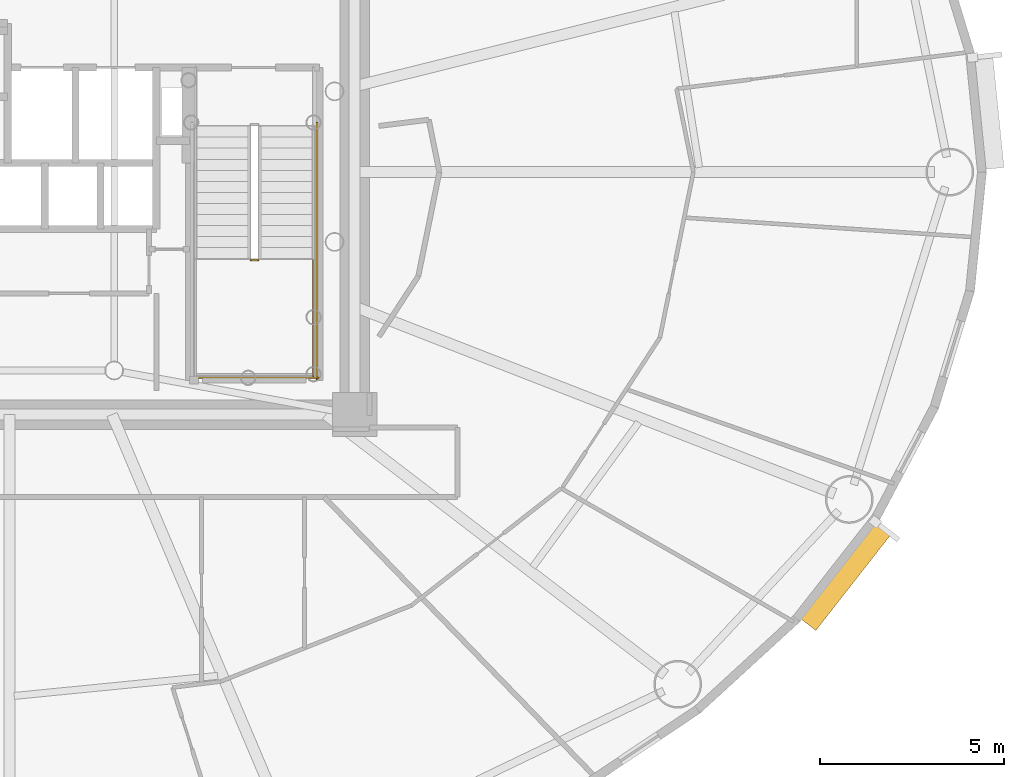
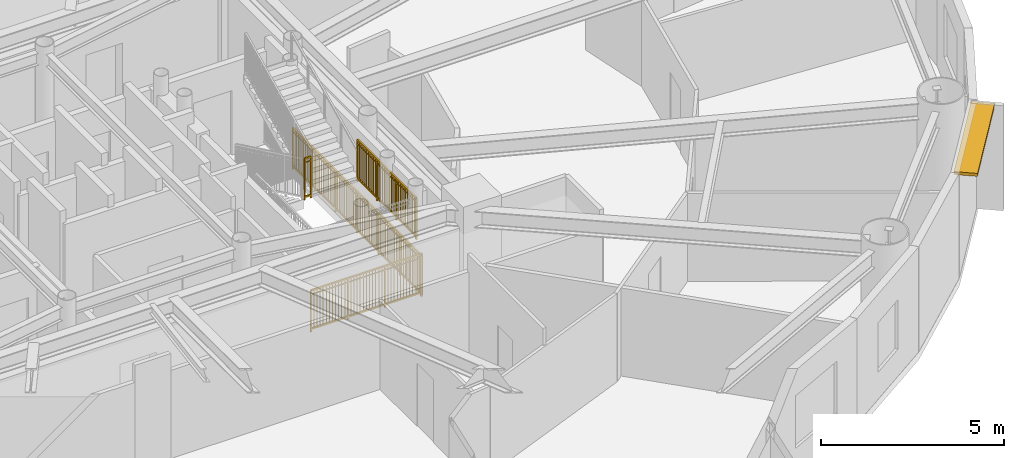
# One storey, part 16 of 17: 4 railings, 1 shading device.
"""IFC4 building model written with IfcOpenShell, lengths in metres."""

from ifc_helpers import new_model, si_unit, direction, frame, origin, origin_2d, place, context, subcontext, project, spatial, rectangle, extrude, source, transform, mapped, material, layer, layer_set, type_object, element, save


model = new_model("IFC4")

# Units and contexts
model_context = context("Model", 3, precision=1e-05, world=origin(), true_north=direction((0.0, 1.0)))
body_context = subcontext(model_context, "Body", "Model", "MODEL_VIEW")
ifc_project = project(units=[si_unit("LENGTHUNIT", "METRE"), si_unit("AREAUNIT", "SQUARE_METRE"), si_unit("VOLUMEUNIT", "CUBIC_METRE"), si_unit("PLANEANGLEUNIT", "RADIAN"), si_unit("MASSUNIT", "GRAM", prefix="KILO")], contexts=[model_context])

# Site, building, storey
site_placement = place(None, origin())
site = spatial("IfcSite", under=ifc_project, at=site_placement, CompositionType="ELEMENT")
building_placement = place(site_placement, origin())
building = spatial("IfcBuilding", under=site, at=building_placement, Name="Linh Dai School and Residence Tower", CompositionType="ELEMENT")
storey_placement = place(building_placement, frame((0.0, 0.0, 197.39990234375)))
storey = spatial("IfcBuildingStorey", under=building, at=storey_placement, Name="L48", CompositionType="ELEMENT", Elevation=197.39990234375)

# Shading device
ifc_material_1 = material(Name="Terracotta Ceramic Sunshade", Category="masonry")
ifc_layer = layer(ifc_material_1, 0.10009765625)
ifc_layer_set = layer_set([ifc_layer], Name="Terracotta Ceramic Sunshade")
shading_device_type = type_object("IfcShadingDeviceType", Name="SHD-TC-650", PredefinedType="USERDEFINED", material=ifc_layer_set)
shared_shape_1 = source(origin(), body_context, "Body", "SweptSolid", [
    extrude(rectangle(XDim=3.376708984375, YDim=0.64990234375, at=origin_2d()), origin(), (0.0, 0.0, 1.0), 0.10009765625),
])
shading_device_placement = place(storey_placement, frame((58.736572265625, 16.05078125, 3.380126953125), z_axis=(0.0, 0.0, 1.0), x_axis=(-0.616286337798, -0.787522158319, 0.0)))
element("IfcShadingDevice", 1, at=shading_device_placement, inside=storey, type_object=shading_device_type, Name="L48 Terracotta Horizontal Sunshade Band 37", ObjectType="SUNSHADE", PredefinedType="USERDEFINED", context=body_context, shape_type="MappedRepresentation", body=[
    mapped(shared_shape_1, transform((0.0, 0.0, 0.0), x_axis=(1.0, 0.0, 0.0), y_axis=(0.0, 1.0, 0.0), z_axis=(0.0, 0.0, 1.0), scale=1.0)),
])

# Railings
ifc_material_2 = material(Name="Structural Steel S355JR", Category="steel")
railing_type = type_object("IfcRailingType", Name="RL-ST-GUARD-1400", PredefinedType="GUARDRAIL", material=ifc_material_2)
shared_shape_2 = source(origin(), body_context, "Body", "SweptSolid", [
    extrude(rectangle(XDim=0.048095703125, YDim=0.048095703125, at=origin_2d()), frame((0.0, 0.0, 1.3759765625), z_axis=(1.0, 0.0, 0.0), x_axis=(0.0, 1.0, 0.0)), (0.0, 0.0, 1.0), 0.199951171875),
    extrude(rectangle(XDim=0.048095703125, YDim=0.048095703125, at=origin_2d()), frame((0.0, 0.0, 0.10009765625), z_axis=(1.0, 0.0, 0.0), x_axis=(0.0, 1.0, 0.0)), (0.0, 0.0, 1.0), 0.199951171875),
    extrude(rectangle(XDim=0.030029296875, YDim=0.030029296875, at=origin_2d()), frame((0.0, 0.0, 1.239990234375), z_axis=(1.0, 0.0, 0.0), x_axis=(0.0, 1.0, 0.0)), (0.0, 0.0, 1.0), 0.199951171875),
    extrude(rectangle(XDim=0.0419921875, YDim=0.0419921875, at=origin_2d()), origin(), (0.0, 0.0, 1.0), 1.3759765625),
    extrude(rectangle(XDim=0.0419921875, YDim=0.0419921875, at=origin_2d()), frame((0.199951171875, 0.0, 0.0)), (0.0, 0.0, 1.0), 1.3759765625),
])
railing_1_placement = place(storey_placement, frame((42.570068359375, 24.60009765625, 1.875)))
element("IfcRailing", 2, at=railing_1_placement, inside=storey, type_object=railing_type, Name="L48 ST2 stair guard 2", PredefinedType="GUARDRAIL", context=body_context, shape_type="MappedRepresentation", body=[
    mapped(shared_shape_2, transform((0.0, 0.0, 0.0), x_axis=(1.0, 0.0, 0.0), y_axis=(0.0, 1.0, 0.0), z_axis=(0.0, 0.0, 1.0), scale=1.0)),
])
shared_shape_3 = source(origin(), body_context, "Body", "SweptSolid", [
    extrude(rectangle(XDim=0.048095703125, YDim=0.048095703125, at=origin_2d()), frame((0.0, 0.0, 1.3759765625), z_axis=(0.0, -1.0, 0.0), x_axis=(1.0, 0.0, 0.0)), (0.0, 0.0, 1.0), 7.0),
    extrude(rectangle(XDim=0.048095703125, YDim=0.048095703125, at=origin_2d()), frame((0.0, 0.0, 0.10009765625), z_axis=(0.0, -1.0, 0.0), x_axis=(1.0, 0.0, 0.0)), (0.0, 0.0, 1.0), 7.0),
    extrude(rectangle(XDim=0.030029296875, YDim=0.030029296875, at=origin_2d()), frame((0.0, 0.0, 1.239990234375), z_axis=(0.0, -1.0, 0.0), x_axis=(1.0, 0.0, 0.0)), (0.0, 0.0, 1.0), 7.0),
    extrude(rectangle(XDim=0.02001953125, YDim=0.02001953125, at=origin_2d()), frame((0.0, -0.09716796875, 0.10009765625)), (0.0, 0.0, 1.0), 1.251708984375),
    extrude(rectangle(XDim=0.02001953125, YDim=0.02001953125, at=origin_2d()), frame((0.0, -0.1943359375, 0.10009765625)), (0.0, 0.0, 1.0), 1.251708984375),
    extrude(rectangle(XDim=0.02001953125, YDim=0.02001953125, at=origin_2d()), frame((0.0, -0.291748046875, 0.10009765625)), (0.0, 0.0, 1.0), 1.251708984375),
    extrude(rectangle(XDim=0.02001953125, YDim=0.02001953125, at=origin_2d()), frame((0.0, -0.388916015625, 0.10009765625)), (0.0, 0.0, 1.0), 1.251708984375),
    extrude(rectangle(XDim=0.02001953125, YDim=0.02001953125, at=origin_2d()), frame((0.0, -0.486083984375, 0.10009765625)), (0.0, 0.0, 1.0), 1.251708984375),
    extrude(rectangle(XDim=0.02001953125, YDim=0.02001953125, at=origin_2d()), frame((0.0, -0.583251953125, 0.10009765625)), (0.0, 0.0, 1.0), 1.251708984375),
    extrude(rectangle(XDim=0.02001953125, YDim=0.02001953125, at=origin_2d()), frame((0.0, -0.6806640625, 0.10009765625)), (0.0, 0.0, 1.0), 1.251708984375),
    extrude(rectangle(XDim=0.02001953125, YDim=0.02001953125, at=origin_2d()), frame((0.0, -0.77783203125, 0.10009765625)), (0.0, 0.0, 1.0), 1.251708984375),
    extrude(rectangle(XDim=0.02001953125, YDim=0.02001953125, at=origin_2d()), frame((0.0, -0.875, 0.10009765625)), (0.0, 0.0, 1.0), 1.251708984375),
    extrude(rectangle(XDim=0.02001953125, YDim=0.02001953125, at=origin_2d()), frame((0.0, -0.97216796875, 0.10009765625)), (0.0, 0.0, 1.0), 1.251708984375),
    extrude(rectangle(XDim=0.02001953125, YDim=0.02001953125, at=origin_2d()), frame((0.0, -1.0693359375, 0.10009765625)), (0.0, 0.0, 1.0), 1.251708984375),
    extrude(rectangle(XDim=0.02001953125, YDim=0.02001953125, at=origin_2d()), frame((0.0, -1.263916015625, 0.10009765625)), (0.0, 0.0, 1.0), 1.251708984375),
    extrude(rectangle(XDim=0.02001953125, YDim=0.02001953125, at=origin_2d()), frame((0.0, -1.361083984375, 0.10009765625)), (0.0, 0.0, 1.0), 1.251708984375),
    extrude(rectangle(XDim=0.02001953125, YDim=0.02001953125, at=origin_2d()), frame((0.0, -1.458251953125, 0.10009765625)), (0.0, 0.0, 1.0), 1.251708984375),
    extrude(rectangle(XDim=0.02001953125, YDim=0.02001953125, at=origin_2d()), frame((0.0, -1.5556640625, 0.10009765625)), (0.0, 0.0, 1.0), 1.251708984375),
    extrude(rectangle(XDim=0.02001953125, YDim=0.02001953125, at=origin_2d()), frame((0.0, -1.65283203125, 0.10009765625)), (0.0, 0.0, 1.0), 1.251708984375),
    extrude(rectangle(XDim=0.02001953125, YDim=0.02001953125, at=origin_2d()), frame((0.0, -1.75, 0.10009765625)), (0.0, 0.0, 1.0), 1.251708984375),
    extrude(rectangle(XDim=0.02001953125, YDim=0.02001953125, at=origin_2d()), frame((0.0, -1.84716796875, 0.10009765625)), (0.0, 0.0, 1.0), 1.251708984375),
    extrude(rectangle(XDim=0.02001953125, YDim=0.02001953125, at=origin_2d()), frame((0.0, -1.9443359375, 0.10009765625)), (0.0, 0.0, 1.0), 1.251708984375),
    extrude(rectangle(XDim=0.02001953125, YDim=0.02001953125, at=origin_2d()), frame((0.0, -2.041748046875, 0.10009765625)), (0.0, 0.0, 1.0), 1.251708984375),
    extrude(rectangle(XDim=0.02001953125, YDim=0.02001953125, at=origin_2d()), frame((0.0, -2.138916015625, 0.10009765625)), (0.0, 0.0, 1.0), 1.251708984375),
    extrude(rectangle(XDim=0.02001953125, YDim=0.02001953125, at=origin_2d()), frame((0.0, -2.236083984375, 0.10009765625)), (0.0, 0.0, 1.0), 1.251708984375),
    extrude(rectangle(XDim=0.02001953125, YDim=0.02001953125, at=origin_2d()), frame((0.0, -2.4306640625, 0.10009765625)), (0.0, 0.0, 1.0), 1.251708984375),
    extrude(rectangle(XDim=0.02001953125, YDim=0.02001953125, at=origin_2d()), frame((0.0, -2.52783203125, 0.10009765625)), (0.0, 0.0, 1.0), 1.251708984375),
    extrude(rectangle(XDim=0.02001953125, YDim=0.02001953125, at=origin_2d()), frame((0.0, -2.625, 0.10009765625)), (0.0, 0.0, 1.0), 1.251708984375),
    extrude(rectangle(XDim=0.02001953125, YDim=0.02001953125, at=origin_2d()), frame((0.0, -2.72216796875, 0.10009765625)), (0.0, 0.0, 1.0), 1.251708984375),
    extrude(rectangle(XDim=0.02001953125, YDim=0.02001953125, at=origin_2d()), frame((0.0, -2.8193359375, 0.10009765625)), (0.0, 0.0, 1.0), 1.251708984375),
    extrude(rectangle(XDim=0.02001953125, YDim=0.02001953125, at=origin_2d()), frame((0.0, -2.916748046875, 0.10009765625)), (0.0, 0.0, 1.0), 1.251708984375),
    extrude(rectangle(XDim=0.02001953125, YDim=0.02001953125, at=origin_2d()), frame((0.0, -3.013916015625, 0.10009765625)), (0.0, 0.0, 1.0), 1.251708984375),
    extrude(rectangle(XDim=0.02001953125, YDim=0.02001953125, at=origin_2d()), frame((0.0, -3.111083984375, 0.10009765625)), (0.0, 0.0, 1.0), 1.251708984375),
    extrude(rectangle(XDim=0.02001953125, YDim=0.02001953125, at=origin_2d()), frame((0.0, -3.208251953125, 0.10009765625)), (0.0, 0.0, 1.0), 1.251708984375),
    extrude(rectangle(XDim=0.02001953125, YDim=0.02001953125, at=origin_2d()), frame((0.0, -3.3056640625, 0.10009765625)), (0.0, 0.0, 1.0), 1.251708984375),
    extrude(rectangle(XDim=0.02001953125, YDim=0.02001953125, at=origin_2d()), frame((0.0, -3.40283203125, 0.10009765625)), (0.0, 0.0, 1.0), 1.251708984375),
    extrude(rectangle(XDim=0.02001953125, YDim=0.02001953125, at=origin_2d()), frame((0.0, -3.59716796875, 0.10009765625)), (0.0, 0.0, 1.0), 1.251708984375),
    extrude(rectangle(XDim=0.02001953125, YDim=0.02001953125, at=origin_2d()), frame((0.0, -3.6943359375, 0.10009765625)), (0.0, 0.0, 1.0), 1.251708984375),
    extrude(rectangle(XDim=0.02001953125, YDim=0.02001953125, at=origin_2d()), frame((0.0, -3.791748046875, 0.10009765625)), (0.0, 0.0, 1.0), 1.251708984375),
    extrude(rectangle(XDim=0.02001953125, YDim=0.02001953125, at=origin_2d()), frame((0.0, -3.888916015625, 0.10009765625)), (0.0, 0.0, 1.0), 1.251708984375),
    extrude(rectangle(XDim=0.02001953125, YDim=0.02001953125, at=origin_2d()), frame((0.0, -3.986083984375, 0.10009765625)), (0.0, 0.0, 1.0), 1.251708984375),
    extrude(rectangle(XDim=0.02001953125, YDim=0.02001953125, at=origin_2d()), frame((0.0, -4.083251953125, 0.10009765625)), (0.0, 0.0, 1.0), 1.251708984375),
    extrude(rectangle(XDim=0.02001953125, YDim=0.02001953125, at=origin_2d()), frame((0.0, -4.1806640625, 0.10009765625)), (0.0, 0.0, 1.0), 1.251708984375),
    extrude(rectangle(XDim=0.02001953125, YDim=0.02001953125, at=origin_2d()), frame((0.0, -4.27783203125, 0.10009765625)), (0.0, 0.0, 1.0), 1.251708984375),
    extrude(rectangle(XDim=0.02001953125, YDim=0.02001953125, at=origin_2d()), frame((0.0, -4.375, 0.10009765625)), (0.0, 0.0, 1.0), 1.251708984375),
    extrude(rectangle(XDim=0.02001953125, YDim=0.02001953125, at=origin_2d()), frame((0.0, -4.47216796875, 0.10009765625)), (0.0, 0.0, 1.0), 1.251708984375),
    extrude(rectangle(XDim=0.02001953125, YDim=0.02001953125, at=origin_2d()), frame((0.0, -4.5693359375, 0.10009765625)), (0.0, 0.0, 1.0), 1.251708984375),
    extrude(rectangle(XDim=0.02001953125, YDim=0.02001953125, at=origin_2d()), frame((0.0, -4.763916015625, 0.10009765625)), (0.0, 0.0, 1.0), 1.251708984375),
    extrude(rectangle(XDim=0.02001953125, YDim=0.02001953125, at=origin_2d()), frame((0.0, -4.861083984375, 0.10009765625)), (0.0, 0.0, 1.0), 1.251708984375),
    extrude(rectangle(XDim=0.02001953125, YDim=0.02001953125, at=origin_2d()), frame((0.0, -4.958251953125, 0.10009765625)), (0.0, 0.0, 1.0), 1.251708984375),
    extrude(rectangle(XDim=0.02001953125, YDim=0.02001953125, at=origin_2d()), frame((0.0, -5.0556640625, 0.10009765625)), (0.0, 0.0, 1.0), 1.251708984375),
    extrude(rectangle(XDim=0.02001953125, YDim=0.02001953125, at=origin_2d()), frame((0.0, -5.15283203125, 0.10009765625)), (0.0, 0.0, 1.0), 1.251708984375),
    extrude(rectangle(XDim=0.02001953125, YDim=0.02001953125, at=origin_2d()), frame((0.0, -5.25, 0.10009765625)), (0.0, 0.0, 1.0), 1.251708984375),
    extrude(rectangle(XDim=0.02001953125, YDim=0.02001953125, at=origin_2d()), frame((0.0, -5.34716796875, 0.10009765625)), (0.0, 0.0, 1.0), 1.251708984375),
    extrude(rectangle(XDim=0.02001953125, YDim=0.02001953125, at=origin_2d()), frame((0.0, -5.4443359375, 0.10009765625)), (0.0, 0.0, 1.0), 1.251708984375),
    extrude(rectangle(XDim=0.02001953125, YDim=0.02001953125, at=origin_2d()), frame((0.0, -5.541748046875, 0.10009765625)), (0.0, 0.0, 1.0), 1.251708984375),
    extrude(rectangle(XDim=0.02001953125, YDim=0.02001953125, at=origin_2d()), frame((0.0, -5.638916015625, 0.10009765625)), (0.0, 0.0, 1.0), 1.251708984375),
    extrude(rectangle(XDim=0.02001953125, YDim=0.02001953125, at=origin_2d()), frame((0.0, -5.736083984375, 0.10009765625)), (0.0, 0.0, 1.0), 1.251708984375),
    extrude(rectangle(XDim=0.02001953125, YDim=0.02001953125, at=origin_2d()), frame((0.0, -5.9306640625, 0.10009765625)), (0.0, 0.0, 1.0), 1.251708984375),
    extrude(rectangle(XDim=0.02001953125, YDim=0.02001953125, at=origin_2d()), frame((0.0, -6.02783203125, 0.10009765625)), (0.0, 0.0, 1.0), 1.251708984375),
    extrude(rectangle(XDim=0.02001953125, YDim=0.02001953125, at=origin_2d()), frame((0.0, -6.125, 0.10009765625)), (0.0, 0.0, 1.0), 1.251708984375),
    extrude(rectangle(XDim=0.02001953125, YDim=0.02001953125, at=origin_2d()), frame((0.0, -6.22216796875, 0.10009765625)), (0.0, 0.0, 1.0), 1.251708984375),
    extrude(rectangle(XDim=0.02001953125, YDim=0.02001953125, at=origin_2d()), frame((0.0, -6.3193359375, 0.10009765625)), (0.0, 0.0, 1.0), 1.251708984375),
    extrude(rectangle(XDim=0.02001953125, YDim=0.02001953125, at=origin_2d()), frame((0.0, -6.416748046875, 0.10009765625)), (0.0, 0.0, 1.0), 1.251708984375),
    extrude(rectangle(XDim=0.02001953125, YDim=0.02001953125, at=origin_2d()), frame((0.0, -6.513916015625, 0.10009765625)), (0.0, 0.0, 1.0), 1.251708984375),
    extrude(rectangle(XDim=0.02001953125, YDim=0.02001953125, at=origin_2d()), frame((0.0, -6.611083984375, 0.10009765625)), (0.0, 0.0, 1.0), 1.251708984375),
    extrude(rectangle(XDim=0.02001953125, YDim=0.02001953125, at=origin_2d()), frame((0.0, -6.708251953125, 0.10009765625)), (0.0, 0.0, 1.0), 1.251708984375),
    extrude(rectangle(XDim=0.02001953125, YDim=0.02001953125, at=origin_2d()), frame((0.0, -6.8056640625, 0.10009765625)), (0.0, 0.0, 1.0), 1.251708984375),
    extrude(rectangle(XDim=0.02001953125, YDim=0.02001953125, at=origin_2d()), frame((0.0, -6.90283203125, 0.10009765625)), (0.0, 0.0, 1.0), 1.251708984375),
    extrude(rectangle(XDim=0.0419921875, YDim=0.0419921875, at=origin_2d()), origin(), (0.0, 0.0, 1.0), 1.3759765625),
    extrude(rectangle(XDim=0.0419921875, YDim=0.0419921875, at=origin_2d()), frame((0.0, -1.166748046875, 0.0)), (0.0, 0.0, 1.0), 1.3759765625),
    extrude(rectangle(XDim=0.0419921875, YDim=0.0419921875, at=origin_2d()), frame((0.0, -2.333251953125, 0.0)), (0.0, 0.0, 1.0), 1.3759765625),
    extrude(rectangle(XDim=0.0419921875, YDim=0.0419921875, at=origin_2d()), frame((0.0, -3.5, 0.0)), (0.0, 0.0, 1.0), 1.3759765625),
    extrude(rectangle(XDim=0.0419921875, YDim=0.0419921875, at=origin_2d()), frame((0.0, -4.666748046875, 0.0)), (0.0, 0.0, 1.0), 1.3759765625),
    extrude(rectangle(XDim=0.0419921875, YDim=0.0419921875, at=origin_2d()), frame((0.0, -5.833251953125, 0.0)), (0.0, 0.0, 1.0), 1.3759765625),
    extrude(rectangle(XDim=0.0419921875, YDim=0.0419921875, at=origin_2d()), frame((0.0, -7.0, 0.0)), (0.0, 0.0, 1.0), 1.3759765625),
])
railing_2_placement = place(storey_placement, frame((44.3701171875, 28.35009765625, 0.0)))
element("IfcRailing", 3, at=railing_2_placement, inside=storey, type_object=railing_type, Name="L48 ST2 stair guard 11", PredefinedType="GUARDRAIL", context=body_context, shape_type="MappedRepresentation", body=[
    mapped(shared_shape_3, transform((0.0, 0.0, 0.0), x_axis=(1.0, 0.0, 0.0), y_axis=(0.0, 1.0, 0.0), z_axis=(0.0, 0.0, 1.0), scale=1.0)),
])
shared_shape_4 = source(origin(), body_context, "Body", "SweptSolid", [
    extrude(rectangle(XDim=0.048095703125, YDim=0.048095703125, at=origin_2d()), frame((0.0, 0.0, 1.3759765625), z_axis=(1.0, 0.0, 0.0), x_axis=(0.0, 1.0, 0.0)), (0.0, 0.0, 1.0), 3.5),
    extrude(rectangle(XDim=0.048095703125, YDim=0.048095703125, at=origin_2d()), frame((0.0, 0.0, 0.10009765625), z_axis=(1.0, 0.0, 0.0), x_axis=(0.0, 1.0, 0.0)), (0.0, 0.0, 1.0), 3.5),
    extrude(rectangle(XDim=0.030029296875, YDim=0.030029296875, at=origin_2d()), frame((0.0, 0.0, 1.239990234375), z_axis=(1.0, 0.0, 0.0), x_axis=(0.0, 1.0, 0.0)), (0.0, 0.0, 1.0), 3.5),
    extrude(rectangle(XDim=0.02001953125, YDim=0.02001953125, at=origin_2d()), frame((0.09716796875, 0.0, 0.10009765625)), (0.0, 0.0, 1.0), 1.251708984375),
    extrude(rectangle(XDim=0.02001953125, YDim=0.02001953125, at=origin_2d()), frame((0.1943359375, 0.0, 0.10009765625)), (0.0, 0.0, 1.0), 1.251708984375),
    extrude(rectangle(XDim=0.02001953125, YDim=0.02001953125, at=origin_2d()), frame((0.291748046875, 0.0, 0.10009765625)), (0.0, 0.0, 1.0), 1.251708984375),
    extrude(rectangle(XDim=0.02001953125, YDim=0.02001953125, at=origin_2d()), frame((0.388916015625, 0.0, 0.10009765625)), (0.0, 0.0, 1.0), 1.251708984375),
    extrude(rectangle(XDim=0.02001953125, YDim=0.02001953125, at=origin_2d()), frame((0.486083984375, 0.0, 0.10009765625)), (0.0, 0.0, 1.0), 1.251708984375),
    extrude(rectangle(XDim=0.02001953125, YDim=0.02001953125, at=origin_2d()), frame((0.583251953125, 0.0, 0.10009765625)), (0.0, 0.0, 1.0), 1.251708984375),
    extrude(rectangle(XDim=0.02001953125, YDim=0.02001953125, at=origin_2d()), frame((0.6806640625, 0.0, 0.10009765625)), (0.0, 0.0, 1.0), 1.251708984375),
    extrude(rectangle(XDim=0.02001953125, YDim=0.02001953125, at=origin_2d()), frame((0.77783203125, 0.0, 0.10009765625)), (0.0, 0.0, 1.0), 1.251708984375),
    extrude(rectangle(XDim=0.02001953125, YDim=0.02001953125, at=origin_2d()), frame((0.875, 0.0, 0.10009765625)), (0.0, 0.0, 1.0), 1.251708984375),
    extrude(rectangle(XDim=0.02001953125, YDim=0.02001953125, at=origin_2d()), frame((0.97216796875, 0.0, 0.10009765625)), (0.0, 0.0, 1.0), 1.251708984375),
    extrude(rectangle(XDim=0.02001953125, YDim=0.02001953125, at=origin_2d()), frame((1.0693359375, 0.0, 0.10009765625)), (0.0, 0.0, 1.0), 1.251708984375),
    extrude(rectangle(XDim=0.02001953125, YDim=0.02001953125, at=origin_2d()), frame((1.263916015625, 0.0, 0.10009765625)), (0.0, 0.0, 1.0), 1.251708984375),
    extrude(rectangle(XDim=0.02001953125, YDim=0.02001953125, at=origin_2d()), frame((1.361083984375, 0.0, 0.10009765625)), (0.0, 0.0, 1.0), 1.251708984375),
    extrude(rectangle(XDim=0.02001953125, YDim=0.02001953125, at=origin_2d()), frame((1.458251953125, 0.0, 0.10009765625)), (0.0, 0.0, 1.0), 1.251708984375),
    extrude(rectangle(XDim=0.02001953125, YDim=0.02001953125, at=origin_2d()), frame((1.5556640625, 0.0, 0.10009765625)), (0.0, 0.0, 1.0), 1.251708984375),
    extrude(rectangle(XDim=0.02001953125, YDim=0.02001953125, at=origin_2d()), frame((1.65283203125, 0.0, 0.10009765625)), (0.0, 0.0, 1.0), 1.251708984375),
    extrude(rectangle(XDim=0.02001953125, YDim=0.02001953125, at=origin_2d()), frame((1.75, 0.0, 0.10009765625)), (0.0, 0.0, 1.0), 1.251708984375),
    extrude(rectangle(XDim=0.02001953125, YDim=0.02001953125, at=origin_2d()), frame((1.84716796875, 0.0, 0.10009765625)), (0.0, 0.0, 1.0), 1.251708984375),
    extrude(rectangle(XDim=0.02001953125, YDim=0.02001953125, at=origin_2d()), frame((1.9443359375, 0.0, 0.10009765625)), (0.0, 0.0, 1.0), 1.251708984375),
    extrude(rectangle(XDim=0.02001953125, YDim=0.02001953125, at=origin_2d()), frame((2.041748046875, 0.0, 0.10009765625)), (0.0, 0.0, 1.0), 1.251708984375),
    extrude(rectangle(XDim=0.02001953125, YDim=0.02001953125, at=origin_2d()), frame((2.138916015625, 0.0, 0.10009765625)), (0.0, 0.0, 1.0), 1.251708984375),
    extrude(rectangle(XDim=0.02001953125, YDim=0.02001953125, at=origin_2d()), frame((2.236083984375, 0.0, 0.10009765625)), (0.0, 0.0, 1.0), 1.251708984375),
    extrude(rectangle(XDim=0.02001953125, YDim=0.02001953125, at=origin_2d()), frame((2.4306640625, 0.0, 0.10009765625)), (0.0, 0.0, 1.0), 1.251708984375),
    extrude(rectangle(XDim=0.02001953125, YDim=0.02001953125, at=origin_2d()), frame((2.52783203125, 0.0, 0.10009765625)), (0.0, 0.0, 1.0), 1.251708984375),
    extrude(rectangle(XDim=0.02001953125, YDim=0.02001953125, at=origin_2d()), frame((2.625, 0.0, 0.10009765625)), (0.0, 0.0, 1.0), 1.251708984375),
    extrude(rectangle(XDim=0.02001953125, YDim=0.02001953125, at=origin_2d()), frame((2.72216796875, 0.0, 0.10009765625)), (0.0, 0.0, 1.0), 1.251708984375),
    extrude(rectangle(XDim=0.02001953125, YDim=0.02001953125, at=origin_2d()), frame((2.8193359375, 0.0, 0.10009765625)), (0.0, 0.0, 1.0), 1.251708984375),
    extrude(rectangle(XDim=0.02001953125, YDim=0.02001953125, at=origin_2d()), frame((2.916748046875, 0.0, 0.10009765625)), (0.0, 0.0, 1.0), 1.251708984375),
    extrude(rectangle(XDim=0.02001953125, YDim=0.02001953125, at=origin_2d()), frame((3.013916015625, 0.0, 0.10009765625)), (0.0, 0.0, 1.0), 1.251708984375),
    extrude(rectangle(XDim=0.02001953125, YDim=0.02001953125, at=origin_2d()), frame((3.111083984375, 0.0, 0.10009765625)), (0.0, 0.0, 1.0), 1.251708984375),
    extrude(rectangle(XDim=0.02001953125, YDim=0.02001953125, at=origin_2d()), frame((3.208251953125, 0.0, 0.10009765625)), (0.0, 0.0, 1.0), 1.251708984375),
    extrude(rectangle(XDim=0.02001953125, YDim=0.02001953125, at=origin_2d()), frame((3.3056640625, 0.0, 0.10009765625)), (0.0, 0.0, 1.0), 1.251708984375),
    extrude(rectangle(XDim=0.02001953125, YDim=0.02001953125, at=origin_2d()), frame((3.40283203125, 0.0, 0.10009765625)), (0.0, 0.0, 1.0), 1.251708984375),
    extrude(rectangle(XDim=0.0419921875, YDim=0.0419921875, at=origin_2d()), origin(), (0.0, 0.0, 1.0), 1.3759765625),
    extrude(rectangle(XDim=0.0419921875, YDim=0.0419921875, at=origin_2d()), frame((1.166748046875, 0.0, 0.0)), (0.0, 0.0, 1.0), 1.3759765625),
    extrude(rectangle(XDim=0.0419921875, YDim=0.0419921875, at=origin_2d()), frame((2.333251953125, 0.0, 0.0)), (0.0, 0.0, 1.0), 1.3759765625),
    extrude(rectangle(XDim=0.0419921875, YDim=0.0419921875, at=origin_2d()), frame((3.5, 0.0, 0.0)), (0.0, 0.0, 1.0), 1.3759765625),
])
railing_3_placement = place(storey_placement, frame((40.919921875, 21.39990234375, 0.0)))
element("IfcRailing", 4, at=railing_3_placement, inside=storey, type_object=railing_type, Name="L48 ST2 stair guard 12", PredefinedType="GUARDRAIL", context=body_context, shape_type="MappedRepresentation", body=[
    mapped(shared_shape_4, transform((0.0, 0.0, 0.0), x_axis=(1.0, 0.0, 0.0), y_axis=(0.0, 1.0, 0.0), z_axis=(0.0, 0.0, 1.0), scale=1.0)),
])
shared_shape_5 = source(origin(), body_context, "Body", "SweptSolid", [
    extrude(rectangle(XDim=0.048095703125, YDim=0.048095703125, at=origin_2d()), frame((0.0, 0.0, 1.3759765625), z_axis=(0.0, -1.0, 0.0), x_axis=(1.0, 0.0, 0.0)), (0.0, 0.0, 1.0), 3.199951171875),
    extrude(rectangle(XDim=0.048095703125, YDim=0.048095703125, at=origin_2d()), frame((0.0, 0.0, 0.10009765625), z_axis=(0.0, -1.0, 0.0), x_axis=(1.0, 0.0, 0.0)), (0.0, 0.0, 1.0), 3.199951171875),
    extrude(rectangle(XDim=0.030029296875, YDim=0.030029296875, at=origin_2d()), frame((0.0, 0.0, 1.239990234375), z_axis=(0.0, -1.0, 0.0), x_axis=(1.0, 0.0, 0.0)), (0.0, 0.0, 1.0), 3.199951171875),
    extrude(rectangle(XDim=0.02001953125, YDim=0.02001953125, at=origin_2d()), frame((0.0, -0.096923828125, 0.10009765625)), (0.0, 0.0, 1.0), 1.251708984375),
    extrude(rectangle(XDim=0.02001953125, YDim=0.02001953125, at=origin_2d()), frame((0.0, -0.19384765625, 0.10009765625)), (0.0, 0.0, 1.0), 1.251708984375),
    extrude(rectangle(XDim=0.02001953125, YDim=0.02001953125, at=origin_2d()), frame((0.0, -0.291015625, 0.10009765625)), (0.0, 0.0, 1.0), 1.251708984375),
    extrude(rectangle(XDim=0.02001953125, YDim=0.02001953125, at=origin_2d()), frame((0.0, -0.387939453125, 0.10009765625)), (0.0, 0.0, 1.0), 1.251708984375),
    extrude(rectangle(XDim=0.02001953125, YDim=0.02001953125, at=origin_2d()), frame((0.0, -0.48486328125, 0.10009765625)), (0.0, 0.0, 1.0), 1.251708984375),
    extrude(rectangle(XDim=0.02001953125, YDim=0.02001953125, at=origin_2d()), frame((0.0, -0.581787109375, 0.10009765625)), (0.0, 0.0, 1.0), 1.251708984375),
    extrude(rectangle(XDim=0.02001953125, YDim=0.02001953125, at=origin_2d()), frame((0.0, -0.6787109375, 0.10009765625)), (0.0, 0.0, 1.0), 1.251708984375),
    extrude(rectangle(XDim=0.02001953125, YDim=0.02001953125, at=origin_2d()), frame((0.0, -0.775634765625, 0.10009765625)), (0.0, 0.0, 1.0), 1.251708984375),
    extrude(rectangle(XDim=0.02001953125, YDim=0.02001953125, at=origin_2d()), frame((0.0, -0.872802734375, 0.10009765625)), (0.0, 0.0, 1.0), 1.251708984375),
    extrude(rectangle(XDim=0.02001953125, YDim=0.02001953125, at=origin_2d()), frame((0.0, -0.9697265625, 0.10009765625)), (0.0, 0.0, 1.0), 1.251708984375),
    extrude(rectangle(XDim=0.02001953125, YDim=0.02001953125, at=origin_2d()), frame((0.0, -1.16357421875, 0.10009765625)), (0.0, 0.0, 1.0), 1.251708984375),
    extrude(rectangle(XDim=0.02001953125, YDim=0.02001953125, at=origin_2d()), frame((0.0, -1.260498046875, 0.10009765625)), (0.0, 0.0, 1.0), 1.251708984375),
    extrude(rectangle(XDim=0.02001953125, YDim=0.02001953125, at=origin_2d()), frame((0.0, -1.357666015625, 0.10009765625)), (0.0, 0.0, 1.0), 1.251708984375),
    extrude(rectangle(XDim=0.02001953125, YDim=0.02001953125, at=origin_2d()), frame((0.0, -1.45458984375, 0.10009765625)), (0.0, 0.0, 1.0), 1.251708984375),
    extrude(rectangle(XDim=0.02001953125, YDim=0.02001953125, at=origin_2d()), frame((0.0, -1.551513671875, 0.10009765625)), (0.0, 0.0, 1.0), 1.251708984375),
    extrude(rectangle(XDim=0.02001953125, YDim=0.02001953125, at=origin_2d()), frame((0.0, -1.6484375, 0.10009765625)), (0.0, 0.0, 1.0), 1.251708984375),
    extrude(rectangle(XDim=0.02001953125, YDim=0.02001953125, at=origin_2d()), frame((0.0, -1.745361328125, 0.10009765625)), (0.0, 0.0, 1.0), 1.251708984375),
    extrude(rectangle(XDim=0.02001953125, YDim=0.02001953125, at=origin_2d()), frame((0.0, -1.84228515625, 0.10009765625)), (0.0, 0.0, 1.0), 1.251708984375),
    extrude(rectangle(XDim=0.02001953125, YDim=0.02001953125, at=origin_2d()), frame((0.0, -1.939453125, 0.10009765625)), (0.0, 0.0, 1.0), 1.251708984375),
    extrude(rectangle(XDim=0.02001953125, YDim=0.02001953125, at=origin_2d()), frame((0.0, -2.036376953125, 0.10009765625)), (0.0, 0.0, 1.0), 1.251708984375),
    extrude(rectangle(XDim=0.02001953125, YDim=0.02001953125, at=origin_2d()), frame((0.0, -2.230224609375, 0.10009765625)), (0.0, 0.0, 1.0), 1.251708984375),
    extrude(rectangle(XDim=0.02001953125, YDim=0.02001953125, at=origin_2d()), frame((0.0, -2.3271484375, 0.10009765625)), (0.0, 0.0, 1.0), 1.251708984375),
    extrude(rectangle(XDim=0.02001953125, YDim=0.02001953125, at=origin_2d()), frame((0.0, -2.42431640625, 0.10009765625)), (0.0, 0.0, 1.0), 1.251708984375),
    extrude(rectangle(XDim=0.02001953125, YDim=0.02001953125, at=origin_2d()), frame((0.0, -2.521240234375, 0.10009765625)), (0.0, 0.0, 1.0), 1.251708984375),
    extrude(rectangle(XDim=0.02001953125, YDim=0.02001953125, at=origin_2d()), frame((0.0, -2.6181640625, 0.10009765625)), (0.0, 0.0, 1.0), 1.251708984375),
    extrude(rectangle(XDim=0.02001953125, YDim=0.02001953125, at=origin_2d()), frame((0.0, -2.715087890625, 0.10009765625)), (0.0, 0.0, 1.0), 1.251708984375),
    extrude(rectangle(XDim=0.02001953125, YDim=0.02001953125, at=origin_2d()), frame((0.0, -2.81201171875, 0.10009765625)), (0.0, 0.0, 1.0), 1.251708984375),
    extrude(rectangle(XDim=0.02001953125, YDim=0.02001953125, at=origin_2d()), frame((0.0, -2.908935546875, 0.10009765625)), (0.0, 0.0, 1.0), 1.251708984375),
    extrude(rectangle(XDim=0.02001953125, YDim=0.02001953125, at=origin_2d()), frame((0.0, -3.006103515625, 0.10009765625)), (0.0, 0.0, 1.0), 1.251708984375),
    extrude(rectangle(XDim=0.02001953125, YDim=0.02001953125, at=origin_2d()), frame((0.0, -3.10302734375, 0.10009765625)), (0.0, 0.0, 1.0), 1.251708984375),
    extrude(rectangle(XDim=0.0419921875, YDim=0.0419921875, at=origin_2d()), origin(), (0.0, 0.0, 1.0), 1.3759765625),
    extrude(rectangle(XDim=0.0419921875, YDim=0.0419921875, at=origin_2d()), frame((0.0, -1.066650390625, 0.0)), (0.0, 0.0, 1.0), 1.3759765625),
    extrude(rectangle(XDim=0.0419921875, YDim=0.0419921875, at=origin_2d()), frame((0.0, -2.13330078125, 0.0)), (0.0, 0.0, 1.0), 1.3759765625),
    extrude(rectangle(XDim=0.0419921875, YDim=0.0419921875, at=origin_2d()), frame((0.0, -3.199951171875, 0.0)), (0.0, 0.0, 1.0), 1.3759765625),
])
railing_4_placement = place(storey_placement, frame((44.27001953125, 24.64990234375, 1.875)))
element("IfcRailing", 5, at=railing_4_placement, inside=storey, type_object=railing_type, Name="L48 ST2 stair guard 4", PredefinedType="GUARDRAIL", context=body_context, shape_type="MappedRepresentation", body=[
    mapped(shared_shape_5, transform((0.0, 0.0, 0.0), x_axis=(1.0, 0.0, 0.0), y_axis=(0.0, 1.0, 0.0), z_axis=(0.0, 0.0, 1.0), scale=1.0)),
])

save(model, "model.ifc")
